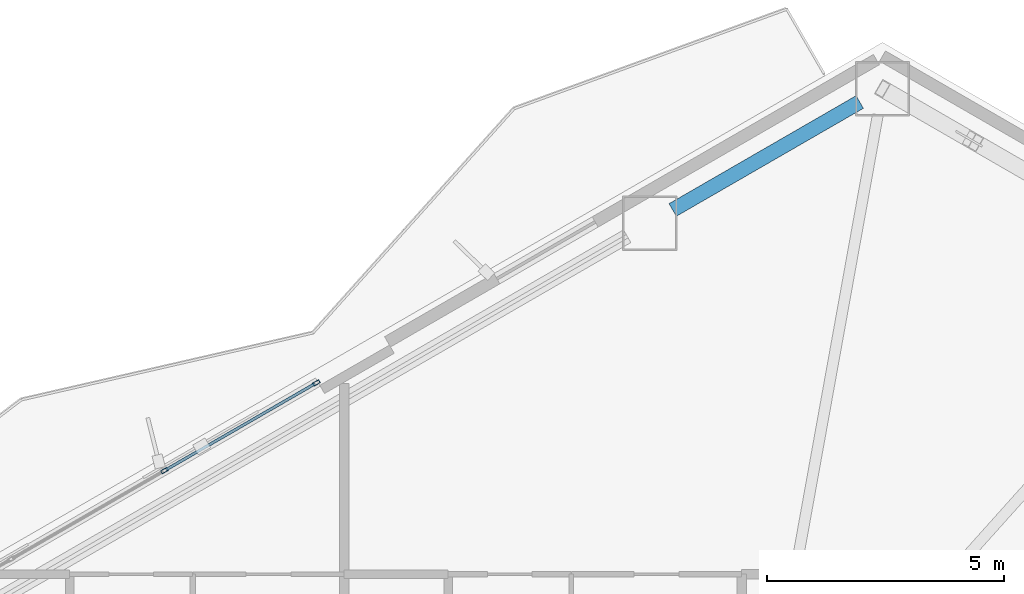
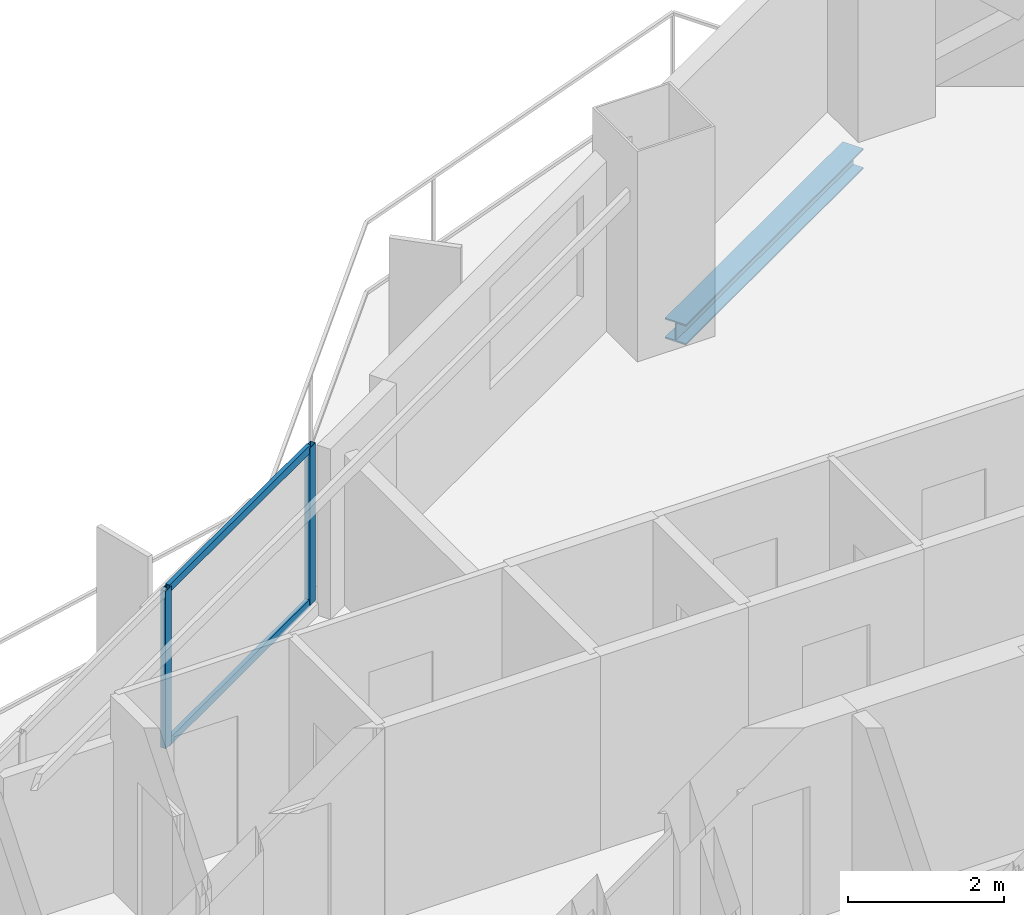
# One storey, part 13 of 23: 4 members, 1 beam, 1 element without a shape of its own.
"""IFC4 building model written with IfcOpenShell, lengths in metres."""

from ifc_helpers import new_model, si_unit, direction, frame, origin, origin_2d, place, context, subcontext, project, spatial, hollow_rectangle, i_section, extrude, material, layer, layer_set, material_profile, profile_set, type_object, element, aggregate, save


model = new_model("IFC4")

# Units and contexts
model_context = context("Model", 3, precision=1e-05, world=origin(), true_north=direction((0.0, 1.0)))
body_context = subcontext(model_context, "Body", "Model", "MODEL_VIEW")
ifc_project = project(units=[si_unit("LENGTHUNIT", "METRE"), si_unit("AREAUNIT", "SQUARE_METRE"), si_unit("VOLUMEUNIT", "CUBIC_METRE"), si_unit("PLANEANGLEUNIT", "RADIAN"), si_unit("MASSUNIT", "GRAM", prefix="KILO")], contexts=[model_context])

# Site, building, storey
site_placement = place(None, origin())
site = spatial("IfcSite", under=ifc_project, at=site_placement, CompositionType="ELEMENT")
building_placement = place(site_placement, origin())
building = spatial("IfcBuilding", under=site, at=building_placement, Name="Mersakhor Tower and Convention Hall", CompositionType="ELEMENT")
storey_placement = place(building_placement, frame((0.0, 0.0, 96.60009765625)))
storey = spatial("IfcBuildingStorey", under=building, at=storey_placement, Name="L26", CompositionType="ELEMENT", Elevation=96.60009765625)

# Beam
ifc_material_1 = material(Name="Steel S355", Category="steel")
ifc_material_profile_1 = material_profile(ifc_material_1, i_section(OverallWidth=0.30908203125, OverallDepth=0.320556640625, WebThickness=0.013916015625, FlangeThickness=0.021728515625, at=origin_2d()), Name="UC 305x305x137")
ifc_profile_set_1 = profile_set([ifc_material_profile_1], Name="Steel S355")
beam_type = type_object("IfcBeamType", Name="BM-SPD-UC305", PredefinedType="SPANDREL", material=ifc_profile_set_1)
beam_placement = place(storey_placement, frame((34.343505859375, 45.34814453125, -0.410400390625), z_axis=(0.866046694585, 0.499963121439, 0.0), x_axis=(-0.499963121439, 0.866046694585, 0.0)))
element("IfcBeam", 1, at=beam_placement, inside=storey, type_object=beam_type, Name="L26 Perimeter Spandrel Beam SPB-03", PredefinedType="SPANDREL", context=body_context, shape_type="SweptSolid", body=[
    extrude(i_section(OverallWidth=0.30908203125, OverallDepth=0.320556640625, WebThickness=0.013916015625, FlangeThickness=0.021728515625, at=origin_2d()), origin(), (0.0, 0.0, 1.0), 4.566162109375),
])

# Curtain wall, members
ifc_material_2 = material(Name="Dark solar low-E aluminium curtain wall", Category="aluminium")
ifc_layer = layer(ifc_material_2, 0.159912109375)
ifc_layer_set = layer_set([ifc_layer], Name="Dark solar low-E aluminium curtain wall")
curtain_wall_type = type_object("IfcCurtainWallType", Name="CW-SYS-01", PredefinedType="USERDEFINED", material=ifc_layer_set)
curtain_wall_placement = place(storey_placement, origin())
curtain_wall = element("IfcCurtainWall", 2, at=curtain_wall_placement, inside=storey, type_object=curtain_wall_type, Name="L26 Dark-Glass Curtain Wall F1-B2", ObjectType="CURTAIN WALL", PredefinedType="USERDEFINED")
ifc_material_3 = material(Name="Anodised aluminium EN AW-6063 T6", Category="aluminium")
ifc_material_profile_2 = material_profile(ifc_material_3, hollow_rectangle(XDim=0.074951171875, YDim=0.14990234375, WallThickness=0.00634765625, at=origin_2d()), Name="RHS 150x75x6.3")
ifc_profile_set_2 = profile_set([ifc_material_profile_2], Name="Anodised aluminium EN AW-6063 T6")
member_type_1 = type_object("IfcMemberType", Name="CWM-150x75", PredefinedType="MULLION", material=ifc_profile_set_2)
member_1_placement = place(storey_placement, frame((23.603515625, 39.840087890625, 0.199951171875), z_axis=(0.0, 0.0, 1.0), x_axis=(-0.499997904985, 0.866026613339, 0.0)))
member_1 = element("IfcMember", 3, at=member_1_placement, type_object=member_type_1, Name="CW-01 mullion 3", PredefinedType="MULLION", context=body_context, shape_type="SweptSolid", body=[
    extrude(hollow_rectangle(XDim=0.074951171875, YDim=0.14990234375, WallThickness=0.00634765625, at=origin_2d()), origin(), (0.0, 0.0, 1.0), 2.469970703125),
])
member_2_placement = place(storey_placement, frame((26.812744140625, 41.69287109375, 0.199951171875), z_axis=(0.0, 0.0, 1.0), x_axis=(-0.499997904985, 0.866026613339, 0.0)))
member_2 = element("IfcMember", 4, at=member_2_placement, type_object=member_type_1, Name="CW-01 mullion 4", PredefinedType="MULLION", context=body_context, shape_type="SweptSolid", body=[
    extrude(hollow_rectangle(XDim=0.074951171875, YDim=0.14990234375, WallThickness=0.00634765625, at=origin_2d()), origin(), (0.0, 0.0, 1.0), 2.469970703125),
])
ifc_material_4 = material(Name="Anodised aluminium EN AW-6063 T6", Category="aluminium")
ifc_material_profile_3 = material_profile(ifc_material_4, hollow_rectangle(XDim=0.06005859375, YDim=0.1201171875, WallThickness=0.0048828125, at=origin_2d()), Name="RHS 120x60x5")
ifc_profile_set_3 = profile_set([ifc_material_profile_3], Name="Anodised aluminium EN AW-6063 T6")
member_type_2 = type_object("IfcMemberType", Name="CWT-120x60", PredefinedType="USERDEFINED", material=ifc_profile_set_3)
member_3_placement = place(storey_placement, frame((23.635986328125, 39.85888671875, 0.22998046875), z_axis=(0.866016497289, 0.500015426185, 0.0), x_axis=(-0.500015426185, 0.866016497289, 0.0)))
member_3 = element("IfcMember", 5, at=member_3_placement, type_object=member_type_2, Name="CW-01 transom 3.1", ObjectType="TRANSOM", PredefinedType="USERDEFINED", context=body_context, shape_type="SweptSolid", body=[
    extrude(hollow_rectangle(XDim=0.06005859375, YDim=0.1201171875, WallThickness=0.0048828125, at=origin_2d()), origin(), (0.0, 0.0, 1.0), 3.630859375),
])
member_4_placement = place(storey_placement, frame((23.635986328125, 39.85888671875, 2.639892578125), z_axis=(0.866016497289, 0.500015426185, 0.0), x_axis=(-0.500015426185, 0.866016497289, 0.0)))
member_4 = element("IfcMember", 6, at=member_4_placement, type_object=member_type_2, Name="CW-01 transom 3.2", ObjectType="TRANSOM", PredefinedType="USERDEFINED", context=body_context, shape_type="SweptSolid", body=[
    extrude(hollow_rectangle(XDim=0.06005859375, YDim=0.1201171875, WallThickness=0.0048828125, at=origin_2d()), origin(), (0.0, 0.0, 1.0), 3.630859375),
])
aggregate(curtain_wall, [member_1, member_2, member_3, member_4])

save(model, "model.ifc")
